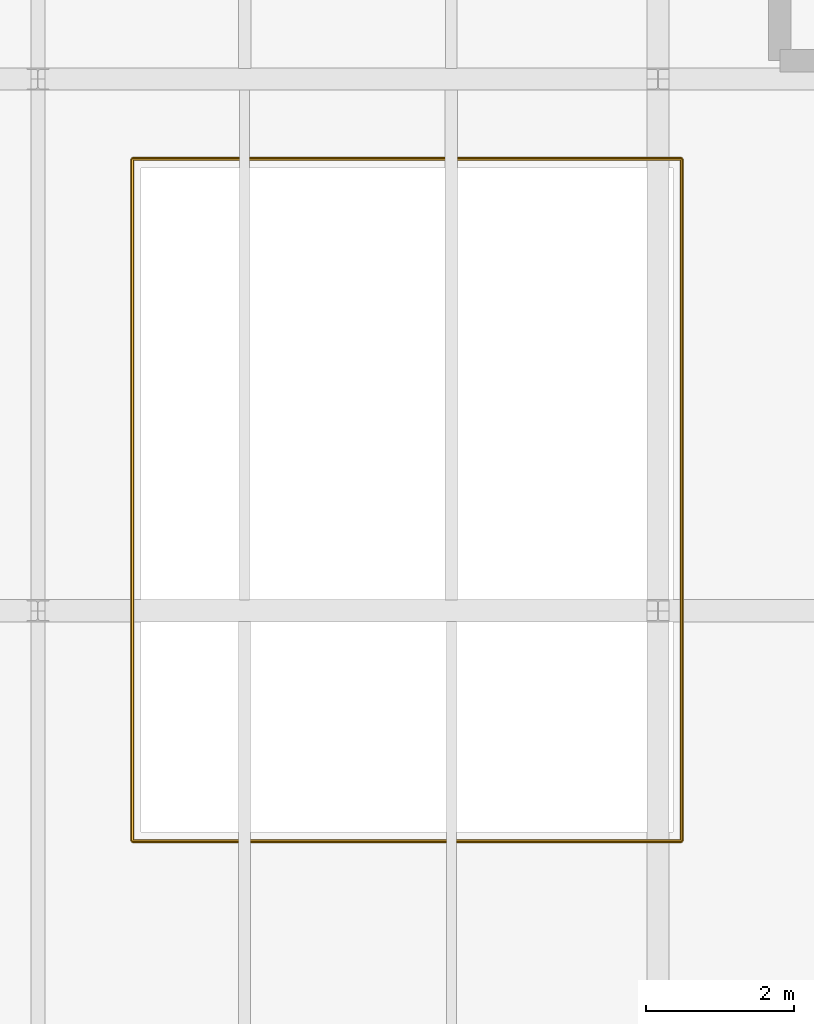
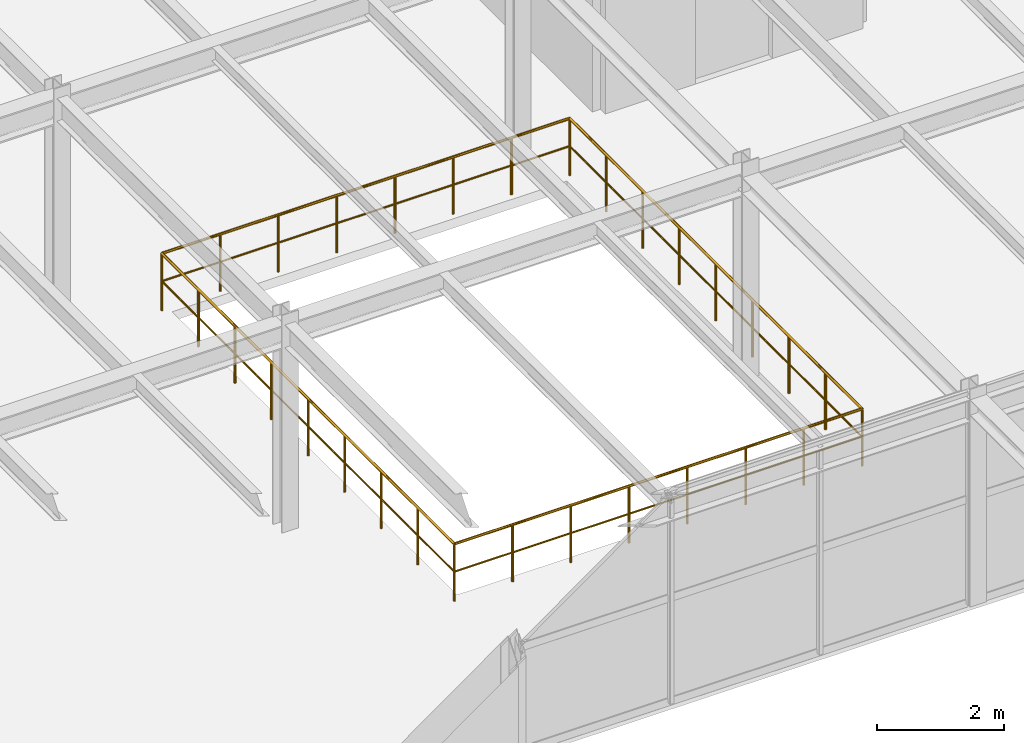
# One storey, part 80 of 109: 1 railing.
"""IFC4 building model written with IfcOpenShell, lengths in metres."""

from ifc_helpers import new_model, si_unit, derived_unit, direction, frame, origin, origin_2d, place, context, subcontext, project, spatial, circle, extrude, material, type_object, element, save


model = new_model("IFC4")

# Units and contexts
model_context = context("Model", 3, precision=1e-05, world=origin(), true_north=direction((0.0, 1.0)))
body_context = subcontext(model_context, "Body", "Model", "MODEL_VIEW")
ifc_project = project(units=[si_unit("LENGTHUNIT", "METRE"), si_unit("AREAUNIT", "SQUARE_METRE"), si_unit("VOLUMEUNIT", "CUBIC_METRE"), si_unit("PLANEANGLEUNIT", "RADIAN"), si_unit("MASSUNIT", "GRAM", prefix="KILO"), derived_unit("THERMALTRANSMITTANCEUNIT", [(si_unit("MASSUNIT", "GRAM", prefix="KILO"), 1), (si_unit("TIMEUNIT", "SECOND"), -3), (si_unit("THERMODYNAMICTEMPERATUREUNIT", "KELVIN"), -1)])], contexts=[model_context])

# Site, building, storey
site_placement = place(None, origin())
site = spatial("IfcSite", under=ifc_project, at=site_placement, CompositionType="ELEMENT")
building_placement = place(site_placement, origin())
building = spatial("IfcBuilding", under=site, at=building_placement, Name="Kharveza Railside Sports Centre", CompositionType="ELEMENT")
storey_placement = place(building_placement, frame((0.0, 0.0, 4.5)))
storey = spatial("IfcBuildingStorey", under=building, at=storey_placement, Name="L01", CompositionType="ELEMENT", Elevation=4.5)

# Railing
ifc_material = material(Name="Steel S275JR", Category="steel")
railing_type = type_object("IfcRailingType", Name="RL-GD110", PredefinedType="GUARDRAIL", material=ifc_material)
railing_placement = place(storey_placement, frame((85.280029296875, 11.280029296875, 0.0)))
element("IfcRailing", 1, at=railing_placement, inside=storey, type_object=railing_type, Name="RL-FOYER-VOID-L01", PredefinedType="GUARDRAIL", context=body_context, shape_type="SweptSolid", body=[
    extrude(circle(Radius=0.02392578125, at=origin_2d()), frame((0.0, 0.0, 1.09619140625), z_axis=(1.0, 0.0, 0.0), x_axis=(0.0, 1.0, 0.0)), (0.0, 0.0, 1.0), 7.43994140625),
    extrude(circle(Radius=0.01611328125, at=origin_2d()), frame((0.0, 0.0, 0.56005859375), z_axis=(1.0, 0.0, 0.0), x_axis=(0.0, 1.0, 0.0)), (0.0, 0.0, 1.0), 7.43994140625),
    extrude(circle(Radius=0.02392578125, at=origin_2d()), frame((7.43994140625, 0.0, 1.09619140625), z_axis=(0.0, 1.0, 0.0), x_axis=(-1.0, 0.0, 0.0)), (0.0, 0.0, 1.0), 9.239990234375),
    extrude(circle(Radius=0.01611328125, at=origin_2d()), frame((7.43994140625, 0.0, 0.56005859375), z_axis=(0.0, 1.0, 0.0), x_axis=(-1.0, 0.0, 0.0)), (0.0, 0.0, 1.0), 9.239990234375),
    extrude(circle(Radius=0.02392578125, at=origin_2d()), frame((7.43994140625, 9.239990234375, 1.09619140625), z_axis=(-1.0, 0.0, 0.0), x_axis=(0.0, -1.0, 0.0)), (0.0, 0.0, 1.0), 7.43994140625),
    extrude(circle(Radius=0.01611328125, at=origin_2d()), frame((7.43994140625, 9.239990234375, 0.56005859375), z_axis=(-1.0, 0.0, 0.0), x_axis=(0.0, -1.0, 0.0)), (0.0, 0.0, 1.0), 7.43994140625),
    extrude(circle(Radius=0.02392578125, at=origin_2d()), frame((0.0, 9.239990234375, 1.09619140625), z_axis=(0.0, -1.0, 0.0), x_axis=(1.0, 0.0, 0.0)), (0.0, 0.0, 1.0), 9.239990234375),
    extrude(circle(Radius=0.01611328125, at=origin_2d()), frame((0.0, 9.239990234375, 0.56005859375), z_axis=(0.0, -1.0, 0.0), x_axis=(1.0, 0.0, 0.0)), (0.0, 0.0, 1.0), 9.239990234375),
    extrude(circle(Radius=0.02099609375, at=origin_2d()), origin(), (0.0, 0.0, 1.0), 1.072021484375),
    extrude(circle(Radius=0.02099609375, at=origin_2d()), frame((1.062744140625, 0.0, 0.0)), (0.0, 0.0, 1.0), 1.072021484375),
    extrude(circle(Radius=0.02099609375, at=origin_2d()), frame((2.125732421875, 0.0, 0.0)), (0.0, 0.0, 1.0), 1.072021484375),
    extrude(circle(Radius=0.02099609375, at=origin_2d()), frame((3.1884765625, 0.0, 0.0)), (0.0, 0.0, 1.0), 1.072021484375),
    extrude(circle(Radius=0.02099609375, at=origin_2d()), frame((4.25146484375, 0.0, 0.0)), (0.0, 0.0, 1.0), 1.072021484375),
    extrude(circle(Radius=0.02099609375, at=origin_2d()), frame((5.314208984375, 0.0, 0.0)), (0.0, 0.0, 1.0), 1.072021484375),
    extrude(circle(Radius=0.02099609375, at=origin_2d()), frame((6.377197265625, 0.0, 0.0)), (0.0, 0.0, 1.0), 1.072021484375),
    extrude(circle(Radius=0.02099609375, at=origin_2d()), frame((7.43994140625, 0.0, 0.0)), (0.0, 0.0, 1.0), 1.072021484375),
    extrude(circle(Radius=0.02099609375, at=origin_2d()), frame((7.43994140625, 1.155029296875, 0.0)), (0.0, 0.0, 1.0), 1.072021484375),
    extrude(circle(Radius=0.02099609375, at=origin_2d()), frame((7.43994140625, 2.31005859375, 0.0)), (0.0, 0.0, 1.0), 1.072021484375),
    extrude(circle(Radius=0.02099609375, at=origin_2d()), frame((7.43994140625, 3.465087890625, 0.0)), (0.0, 0.0, 1.0), 1.072021484375),
    extrude(circle(Radius=0.02099609375, at=origin_2d()), frame((7.43994140625, 4.6201171875, 0.0)), (0.0, 0.0, 1.0), 1.072021484375),
    extrude(circle(Radius=0.02099609375, at=origin_2d()), frame((7.43994140625, 5.77490234375, 0.0)), (0.0, 0.0, 1.0), 1.072021484375),
    extrude(circle(Radius=0.02099609375, at=origin_2d()), frame((7.43994140625, 6.929931640625, 0.0)), (0.0, 0.0, 1.0), 1.072021484375),
    extrude(circle(Radius=0.02099609375, at=origin_2d()), frame((7.43994140625, 8.0849609375, 0.0)), (0.0, 0.0, 1.0), 1.072021484375),
    extrude(circle(Radius=0.02099609375, at=origin_2d()), frame((7.43994140625, 9.239990234375, 0.0)), (0.0, 0.0, 1.0), 1.072021484375),
    extrude(circle(Radius=0.02099609375, at=origin_2d()), frame((6.377197265625, 9.239990234375, 0.0)), (0.0, 0.0, 1.0), 1.072021484375),
    extrude(circle(Radius=0.02099609375, at=origin_2d()), frame((5.314208984375, 9.239990234375, 0.0)), (0.0, 0.0, 1.0), 1.072021484375),
    extrude(circle(Radius=0.02099609375, at=origin_2d()), frame((4.25146484375, 9.239990234375, 0.0)), (0.0, 0.0, 1.0), 1.072021484375),
    extrude(circle(Radius=0.02099609375, at=origin_2d()), frame((3.1884765625, 9.239990234375, 0.0)), (0.0, 0.0, 1.0), 1.072021484375),
    extrude(circle(Radius=0.02099609375, at=origin_2d()), frame((2.125732421875, 9.239990234375, 0.0)), (0.0, 0.0, 1.0), 1.072021484375),
    extrude(circle(Radius=0.02099609375, at=origin_2d()), frame((1.062744140625, 9.239990234375, 0.0)), (0.0, 0.0, 1.0), 1.072021484375),
    extrude(circle(Radius=0.02099609375, at=origin_2d()), frame((0.0, 9.239990234375, 0.0)), (0.0, 0.0, 1.0), 1.072021484375),
    extrude(circle(Radius=0.02099609375, at=origin_2d()), frame((0.0, 8.0849609375, 0.0)), (0.0, 0.0, 1.0), 1.072021484375),
    extrude(circle(Radius=0.02099609375, at=origin_2d()), frame((0.0, 6.929931640625, 0.0)), (0.0, 0.0, 1.0), 1.072021484375),
    extrude(circle(Radius=0.02099609375, at=origin_2d()), frame((0.0, 5.77490234375, 0.0)), (0.0, 0.0, 1.0), 1.072021484375),
    extrude(circle(Radius=0.02099609375, at=origin_2d()), frame((0.0, 4.6201171875, 0.0)), (0.0, 0.0, 1.0), 1.072021484375),
    extrude(circle(Radius=0.02099609375, at=origin_2d()), frame((0.0, 3.465087890625, 0.0)), (0.0, 0.0, 1.0), 1.072021484375),
    extrude(circle(Radius=0.02099609375, at=origin_2d()), frame((0.0, 2.31005859375, 0.0)), (0.0, 0.0, 1.0), 1.072021484375),
    extrude(circle(Radius=0.02099609375, at=origin_2d()), frame((0.0, 1.155029296875, 0.0)), (0.0, 0.0, 1.0), 1.072021484375),
])

save(model, "model.ifc")
